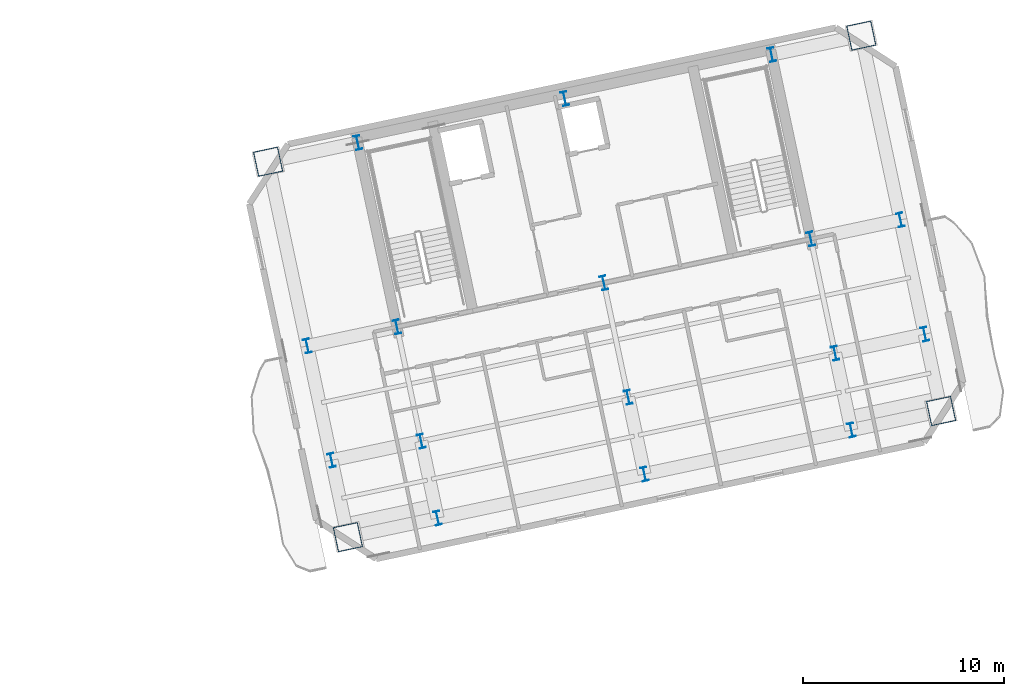
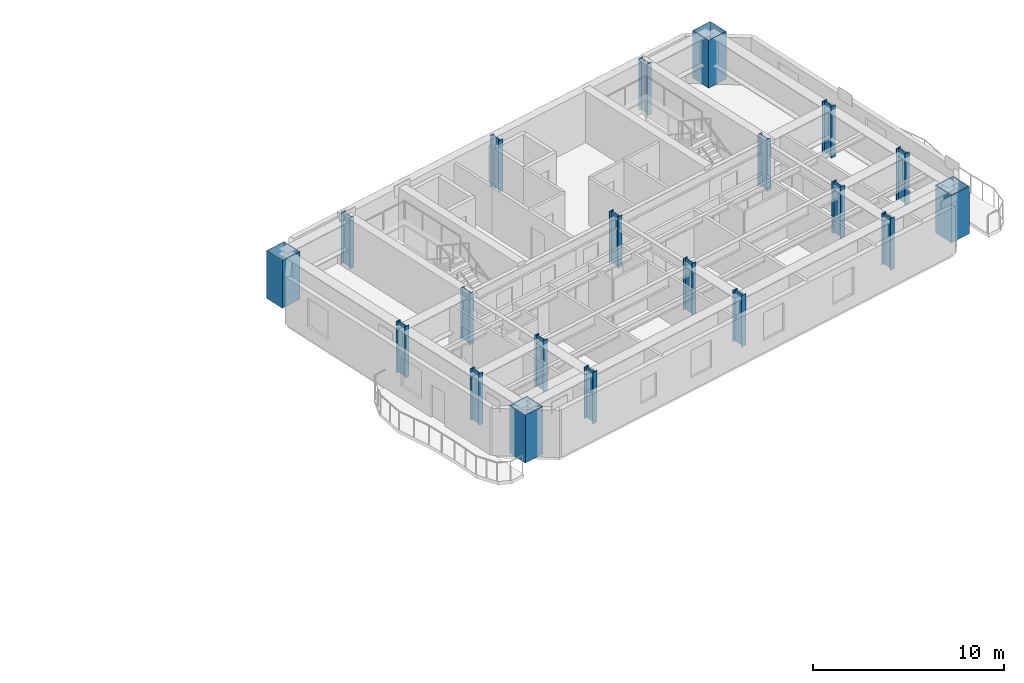
# One storey, part 2 of 15: 20 columns.
"""IFC4 building model written with IfcOpenShell, lengths in metres."""

from ifc_helpers import new_model, si_unit, direction, frame, origin, origin_2d, place, context, subcontext, project, spatial, hollow_rectangle, i_section, extrude, material, material_profile, profile_set, type_object, element, save


model = new_model("IFC4")

# Units and contexts
model_context = context("Model", 3, precision=1e-05, world=origin(), true_north=direction((0.0, 1.0)))
body_context = subcontext(model_context, "Body", "Model", "MODEL_VIEW")
ifc_project = project(units=[si_unit("LENGTHUNIT", "METRE"), si_unit("AREAUNIT", "SQUARE_METRE"), si_unit("VOLUMEUNIT", "CUBIC_METRE"), si_unit("PLANEANGLEUNIT", "RADIAN"), si_unit("MASSUNIT", "GRAM", prefix="KILO")], contexts=[model_context])

# Site, building, storey
site_placement = place(None, origin())
site = spatial("IfcSite", under=ifc_project, at=site_placement, CompositionType="ELEMENT")
building_placement = place(site_placement, origin())
building = spatial("IfcBuilding", under=site, at=building_placement, Name="Haevon Station Towers", CompositionType="ELEMENT")
storey_placement = place(building_placement, frame((0.0, 0.0, 152.699951171875)))
storey = spatial("IfcBuildingStorey", under=building, at=storey_placement, Name="L41", CompositionType="ELEMENT", Elevation=152.699951171875)

# Columns
ifc_material_1 = material(Name="Steel S460", Category="steel")
ifc_material_profile_1 = material_profile(ifc_material_1, hollow_rectangle(XDim=1.25, YDim=1.25, WallThickness=0.034912109375, at=origin_2d()), Name="BOX-1250x1250x35")
ifc_profile_set_1 = profile_set([ifc_material_profile_1], Name="Steel S460")
column_type_1 = type_object("IfcColumnType", Name="COL-MC4", PredefinedType="COLUMN", material=ifc_profile_set_1)
for number, where, z_axis, x_axis, name in (
    (1, (96.318603515625, 27.00830078125, 0.0), (0.0, 0.0, 1.0), (0.978147600734, 0.207911690818, 0.0), "COL-T2-L41-01-01"),
    (2, (92.35791015625, 45.64208984375, 0.0), (0.0, 0.0, 1.0), (0.978147600734, 0.207911690818, 0.0), "COL-T2-L41-01-04"),
    (3, (125.7607421875, 33.2666015625, 0.0), (0.0, 0.0, 1.0), (0.978147600734, 0.207911690818, 0.0), "COL-T2-L41-05-01"),
    (4, (121.800048828125, 51.900146484375, 0.0), (0.0, 0.0, 1.0), (0.978147600734, 0.207911690818, 0.0), "COL-T2-L41-05-04"),
):
    element("IfcColumn", number, at=place(storey_placement, frame(where, z_axis=z_axis, x_axis=x_axis)), inside=storey, type_object=column_type_1, Name=name, PredefinedType="COLUMN", context=body_context, shape_type="SweptSolid", body=[
        extrude(hollow_rectangle(XDim=1.25, YDim=1.25, WallThickness=0.034912109375, at=origin_2d()), origin(), (0.0, 0.0, 1.0), 3.050048828125),
    ])
ifc_material_2 = material(Name="Steel S355", Category="steel")
ifc_material_profile_2 = material_profile(ifc_material_2, i_section(OverallWidth=0.300048828125, OverallDepth=0.699951171875, WebThickness=0.01611328125, FlangeThickness=0.028076171875, at=origin_2d()), Name="H-700x300x16x28")
ifc_profile_set_2 = profile_set([ifc_material_profile_2], Name="Steel S355")
column_type_2 = type_object("IfcColumnType", Name="COL-TW3", PredefinedType="COLUMN", material=ifc_profile_set_2)
for number, where, z_axis, x_axis, name in (
    (5, (95.507568359375, 30.8232421875, 0.0), (0.0, 0.0, 1.0), (0.978147600734, 0.207911690818, 0.0), "COL-T2-L41-01-02"),
    (6, (94.3017578125, 36.496337890625, 0.0), (0.0, 0.0, 1.0), (0.978147600734, 0.207911690818, 0.0), "COL-T2-L41-01-03"),
    (7, (100.76904296875, 27.954345703125, 0.0), (0.0, 0.0, 1.0), (0.978147600734, 0.207911690818, 0.0), "COL-T2-L41-02-01"),
    (8, (99.958251953125, 31.76904296875, 0.0), (0.0, 0.0, 1.0), (0.978147600734, 0.207911690818, 0.0), "COL-T2-L41-02-02"),
    (9, (98.75244140625, 37.4423828125, 0.0), (0.0, 0.0, 1.0), (0.978147600734, 0.207911690818, 0.0), "COL-T2-L41-02-03"),
    (10, (96.808349609375, 46.588134765625, 0.0), (0.0, 0.0, 1.0), (0.978147600734, 0.207911690818, 0.0), "COL-T2-L41-02-04"),
    (11, (111.03955078125, 30.137451171875, 0.0), (0.0, 0.0, 1.0), (0.978147600734, 0.207911690818, 0.0), "COL-T2-L41-03-01"),
    (12, (110.228759765625, 33.9521484375, 0.0), (0.0, 0.0, 1.0), (0.978147600734, 0.207911690818, 0.0), "COL-T2-L41-03-02"),
    (13, (109.02294921875, 39.62548828125, 0.0), (0.0, 0.0, 1.0), (0.978147600734, 0.207911690818, 0.0), "COL-T2-L41-03-03"),
    (14, (107.078857421875, 48.771240234375, 0.0), (0.0, 0.0, 1.0), (0.978147600734, 0.207911690818, 0.0), "COL-T2-L41-03-04"),
    (15, (121.310302734375, 32.320556640625, 0.0), (0.0, 0.0, 1.0), (0.978147600734, 0.207911690818, 0.0), "COL-T2-L41-04-01"),
    (16, (120.499267578125, 36.13525390625, 0.0), (0.0, 0.0, 1.0), (0.978147600734, 0.207911690818, 0.0), "COL-T2-L41-04-02"),
    (17, (119.29345703125, 41.80859375, 0.0), (0.0, 0.0, 1.0), (0.978147600734, 0.207911690818, 0.0), "COL-T2-L41-04-03"),
    (18, (117.349365234375, 50.954345703125, 0.0), (0.0, 0.0, 1.0), (0.978147600734, 0.207911690818, 0.0), "COL-T2-L41-04-04"),
    (19, (124.949951171875, 37.081298828125, 0.0), (0.0, 0.0, 1.0), (0.978147600734, 0.207911690818, 0.0), "COL-T2-L41-05-02"),
    (20, (123.744140625, 42.754638671875, 0.0), (0.0, 0.0, 1.0), (0.978147600734, 0.207911690818, 0.0), "COL-T2-L41-05-03"),
):
    element("IfcColumn", number, at=place(storey_placement, frame(where, z_axis=z_axis, x_axis=x_axis)), inside=storey, type_object=column_type_2, Name=name, PredefinedType="COLUMN", context=body_context, shape_type="SweptSolid", body=[
        extrude(i_section(OverallWidth=0.300048828125, OverallDepth=0.699951171875, WebThickness=0.01611328125, FlangeThickness=0.028076171875, at=origin_2d()), origin(), (0.0, 0.0, 1.0), 3.300048828125),
    ])

save(model, "model.ifc")
